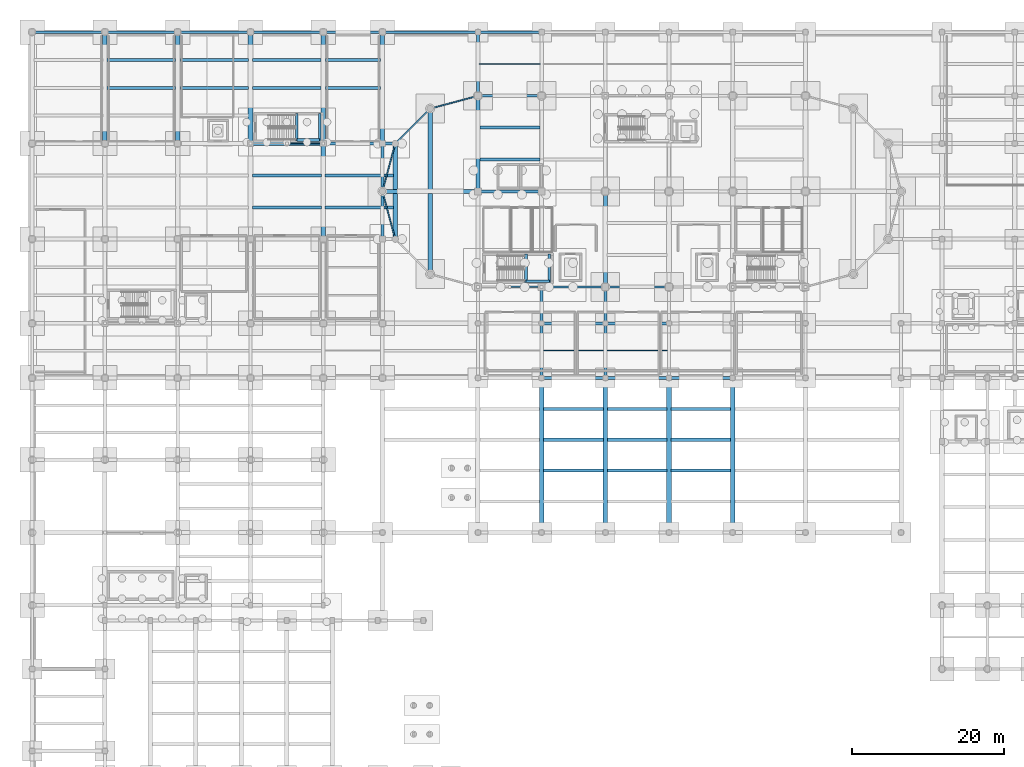
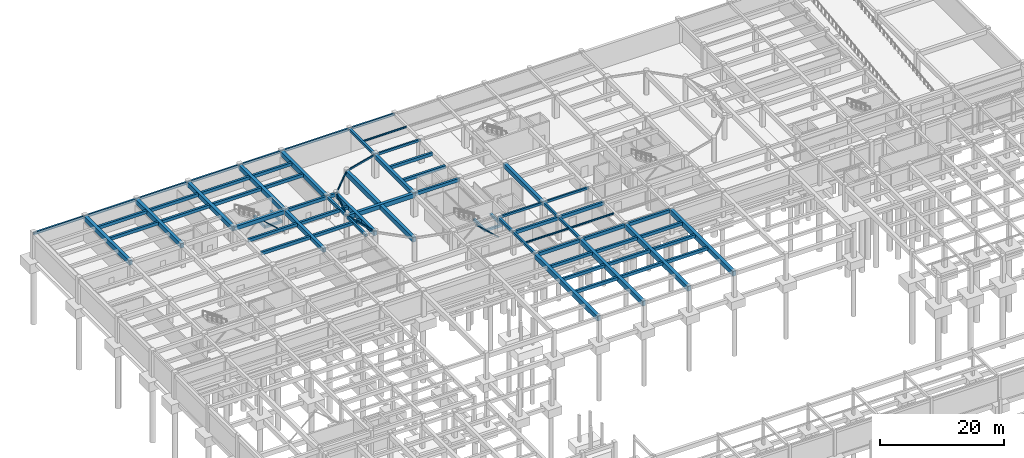
# One storey, part 16 of 37: 77 beams, 2 members.
"""IFC4 building model written with IfcOpenShell, lengths in metres."""

from ifc_helpers import new_model, si_unit, direction, frame, origin, origin_2d, place, context, subcontext, project, spatial, rectangle, hollow_rectangle, hollow_circle, i_section, extrude, material, material_profile, profile_set, type_object, element, save


model = new_model("IFC4")

# Units and contexts
model_context = context("Model", 3, precision=1e-05, world=origin(), true_north=direction((0.0, 1.0)))
body_context = subcontext(model_context, "Body", "Model", "MODEL_VIEW")
ifc_project = project(units=[si_unit("LENGTHUNIT", "METRE"), si_unit("AREAUNIT", "SQUARE_METRE"), si_unit("VOLUMEUNIT", "CUBIC_METRE"), si_unit("PLANEANGLEUNIT", "RADIAN"), si_unit("MASSUNIT", "GRAM", prefix="KILO")], contexts=[model_context])

# Site, building, storey
site_placement = place(None, origin())
site = spatial("IfcSite", under=ifc_project, at=site_placement, CompositionType="ELEMENT")
building_placement = place(site_placement, origin())
building = spatial("IfcBuilding", under=site, at=building_placement, Name="Tarnavel Promenade Courthouse", CompositionType="ELEMENT")
storey_placement = place(building_placement, frame((0.0, 0.0, -4.800048828125)))
storey = spatial("IfcBuildingStorey", under=building, at=storey_placement, Name="B01", CompositionType="ELEMENT", Elevation=-4.800048828125)

# Beams
ifc_material_1 = material(Name="Concrete C40/50", Category="concrete")
ifc_material_profile_1 = material_profile(ifc_material_1, rectangle(XDim=0.39990234375, YDim=0.60009765625, at=origin_2d()), Name="PT 400x600")
ifc_profile_set_1 = profile_set([ifc_material_profile_1], Name="Concrete C40/50")
beam_type_1 = type_object("IfcBeamType", Name="Concrete C40/50 BM-PT-400x600 (PT 400x600)", PredefinedType="JOIST", material=ifc_profile_set_1)
for number, where, z_axis, x_axis, name in (
    (1, (29.044921875, 89.699951171875, 4.215087890625), (1.0, 0.0, 0.0), (0.0, 1.0, 0.0), "B01 Secondary Floor Rib 0431"),
    (2, (29.044921875, 93.89990234375, 4.215087890625), (1.0, 0.0, 0.0), (0.0, 1.0, 0.0), "B01 Secondary Floor Rib 0432"),
):
    element("IfcBeam", number, at=place(storey_placement, frame(where, z_axis=z_axis, x_axis=x_axis)), inside=storey, type_object=beam_type_1, Name=name, PredefinedType="JOIST", context=body_context, shape_type="SweptSolid", body=[
        extrude(rectangle(XDim=0.39990234375, YDim=0.60009765625, at=origin_2d()), origin(), (0.0, 0.0, 1.0), 9.110107421875),
    ])
for number, where, z_axis, x_axis, name in (
    (3, (38.64501953125, 89.699951171875, 4.215087890625), (1.0, 0.0, 0.0), (0.0, 1.0, 0.0), "B01 Secondary Floor Rib 0433"),
    (4, (38.64501953125, 93.89990234375, 4.215087890625), (1.0, 0.0, 0.0), (0.0, 1.0, 0.0), "B01 Secondary Floor Rib 0434"),
):
    element("IfcBeam", number, at=place(storey_placement, frame(where, z_axis=z_axis, x_axis=x_axis)), inside=storey, type_object=beam_type_1, Name=name, PredefinedType="JOIST", context=body_context, shape_type="SweptSolid", body=[
        extrude(rectangle(XDim=0.39990234375, YDim=0.60009765625, at=origin_2d()), origin(), (0.0, 0.0, 1.0), 8.998046875),
    ])
for number, where, z_axis, x_axis, name in (
    (5, (9.8701171875, 105.449951171875, 4.215087890625), (1.0, 0.0, 0.0), (0.0, 1.0, 0.0), "B01 Secondary Floor Rib 0445"),
    (6, (9.8701171875, 109.125, 4.215087890625), (1.0, 0.0, 0.0), (0.0, 1.0, 0.0), "B01 Secondary Floor Rib 0446"),
):
    element("IfcBeam", number, at=place(storey_placement, frame(where, z_axis=z_axis, x_axis=x_axis)), inside=storey, type_object=beam_type_1, Name=name, PredefinedType="JOIST", context=body_context, shape_type="SweptSolid", body=[
        extrude(rectangle(XDim=0.39990234375, YDim=0.60009765625, at=origin_2d()), origin(), (0.0, 0.0, 1.0), 9.059814453125),
    ])
for number, where, z_axis, x_axis, name in (
    (7, (19.469970703125, 105.449951171875, 4.215087890625), (1.0, 0.0, 0.0), (0.0, 1.0, 0.0), "B01 Secondary Floor Rib 0448"),
    (8, (19.469970703125, 109.125, 4.215087890625), (1.0, 0.0, 0.0), (0.0, 1.0, 0.0), "B01 Secondary Floor Rib 0449"),
):
    element("IfcBeam", number, at=place(storey_placement, frame(where, z_axis=z_axis, x_axis=x_axis)), inside=storey, type_object=beam_type_1, Name=name, PredefinedType="JOIST", context=body_context, shape_type="SweptSolid", body=[
        extrude(rectangle(XDim=0.39990234375, YDim=0.60009765625, at=origin_2d()), origin(), (0.0, 0.0, 1.0), 9.06005859375),
    ])
for number, where, z_axis, x_axis, name in (
    (9, (29.070068359375, 105.449951171875, 4.215087890625), (1.0, 0.0, 0.0), (0.0, 1.0, 0.0), "B01 Secondary Floor Rib 0450"),
    (10, (29.070068359375, 109.125, 4.215087890625), (1.0, 0.0, 0.0), (0.0, 1.0, 0.0), "B01 Secondary Floor Rib 0451"),
):
    element("IfcBeam", number, at=place(storey_placement, frame(where, z_axis=z_axis, x_axis=x_axis)), inside=storey, type_object=beam_type_1, Name=name, PredefinedType="JOIST", context=body_context, shape_type="SweptSolid", body=[
        extrude(rectangle(XDim=0.39990234375, YDim=0.60009765625, at=origin_2d()), origin(), (0.0, 0.0, 1.0), 9.059814453125),
    ])
for number, where, z_axis, x_axis, name in (
    (11, (38.669921875, 105.449951171875, 4.215087890625), (1.0, 0.0, 0.0), (0.0, 1.0, 0.0), "B01 Secondary Floor Rib 0452"),
    (12, (38.669921875, 109.125, 4.215087890625), (1.0, 0.0, 0.0), (0.0, 1.0, 0.0), "B01 Secondary Floor Rib 0453"),
):
    element("IfcBeam", number, at=place(storey_placement, frame(where, z_axis=z_axis, x_axis=x_axis)), inside=storey, type_object=beam_type_1, Name=name, PredefinedType="JOIST", context=body_context, shape_type="SweptSolid", body=[
        extrude(rectangle(XDim=0.39990234375, YDim=0.60009765625, at=origin_2d()), origin(), (0.0, 0.0, 1.0), 7.260009765625),
    ])
for number, where, z_axis, x_axis, name in (
    (13, (67.469970703125, 54.9599609375, 4.215087890625), (1.0, 0.0, 0.0), (0.0, 1.0, 0.0), "B01 Secondary Floor Rib 0477"),
    (14, (67.469970703125, 59.0400390625, 4.215087890625), (1.0, 0.0, 0.0), (0.0, 1.0, 0.0), "B01 Secondary Floor Rib 0478"),
    (15, (67.469970703125, 63.1201171875, 4.215087890625), (1.0, 0.0, 0.0), (0.0, 1.0, 0.0), "B01 Secondary Floor Rib 0479"),
):
    element("IfcBeam", number, at=place(storey_placement, frame(where, z_axis=z_axis, x_axis=x_axis)), inside=storey, type_object=beam_type_1, Name=name, PredefinedType="JOIST", context=body_context, shape_type="SweptSolid", body=[
        extrude(rectangle(XDim=0.39990234375, YDim=0.60009765625, at=origin_2d()), origin(), (0.0, 0.0, 1.0), 7.860107421875),
    ])
for number, where, z_axis, x_axis, name in (
    (16, (75.8701171875, 54.9599609375, 4.215087890625), (1.0, 0.0, 0.0), (0.0, 1.0, 0.0), "B01 Secondary Floor Rib 0481"),
    (17, (75.8701171875, 59.0400390625, 4.215087890625), (1.0, 0.0, 0.0), (0.0, 1.0, 0.0), "B01 Secondary Floor Rib 0482"),
    (18, (75.8701171875, 63.1201171875, 4.215087890625), (1.0, 0.0, 0.0), (0.0, 1.0, 0.0), "B01 Secondary Floor Rib 0483"),
    (19, (84.27001953125, 54.9599609375, 4.215087890625), (1.0, 0.0, 0.0), (0.0, 1.0, 0.0), "B01 Secondary Floor Rib 0485"),
    (20, (84.27001953125, 59.0400390625, 4.215087890625), (1.0, 0.0, 0.0), (0.0, 1.0, 0.0), "B01 Secondary Floor Rib 0486"),
    (21, (84.27001953125, 63.1201171875, 4.215087890625), (1.0, 0.0, 0.0), (0.0, 1.0, 0.0), "B01 Secondary Floor Rib 0487"),
):
    element("IfcBeam", number, at=place(storey_placement, frame(where, z_axis=z_axis, x_axis=x_axis)), inside=storey, type_object=beam_type_1, Name=name, PredefinedType="JOIST", context=body_context, shape_type="SweptSolid", body=[
        extrude(rectangle(XDim=0.39990234375, YDim=0.60009765625, at=origin_2d()), origin(), (0.0, 0.0, 1.0), 7.85986328125),
    ])
for number, where, z_axis, x_axis, name in (
    (22, (59.044921875, 96.0, 4.215087890625), (1.0, 0.0, 0.0), (0.0, 1.0, 0.0), "B01 Secondary Floor Rib 0500"),
    (23, (59.044921875, 100.199951171875, 4.215087890625), (1.0, 0.0, 0.0), (0.0, 1.0, 0.0), "B01 Secondary Floor Rib 0501"),
):
    element("IfcBeam", number, at=place(storey_placement, frame(where, z_axis=z_axis, x_axis=x_axis)), inside=storey, type_object=beam_type_1, Name=name, PredefinedType="JOIST", context=body_context, shape_type="SweptSolid", body=[
        extrude(rectangle(XDim=0.39990234375, YDim=0.60009765625, at=origin_2d()), origin(), (0.0, 0.0, 1.0), 7.91015625),
    ])
ifc_material_profile_2 = material_profile(ifc_material_1, rectangle(XDim=0.550048828125, YDim=0.85009765625, at=origin_2d()), Name="PT 550x850")
ifc_profile_set_2 = profile_set([ifc_material_profile_2], Name="Concrete C40/50")
beam_type_2 = type_object("IfcBeamType", Name="Concrete C40/50 BM-PT-550x850 (PT 550x850)", PredefinedType="T_BEAM", material=ifc_profile_set_2)
for number, where, z_axis, x_axis, name in (
    (24, (46.199951171875, 91.800048828125, 4.090087890625), (1.0, 0.0, 0.0), (0.0, 1.0, 0.0), "B01 Primary Longitudinal Beam 0145"),
    (25, (38.39990234375, 85.5, 4.090087890625), (0.0, 1.0, 0.0), (-1.0, 0.0, 0.0), "B01 Transverse Girder 0235"),
    (26, (47.88818359375, 85.5, 4.090087890625), (0.0, 1.0, 0.0), (-1.0, 0.0, 0.0), "B01 Transverse Girder 0245"),
):
    element("IfcBeam", number, at=place(storey_placement, frame(where, z_axis=z_axis, x_axis=x_axis)), inside=storey, type_object=beam_type_2, Name=name, PredefinedType="T_BEAM", context=body_context, shape_type="SweptSolid", body=[
        extrude(rectangle(XDim=0.550048828125, YDim=0.85009765625, at=origin_2d()), origin(), (0.0, 0.0, 1.0), 12.60009765625),
    ])
beam_1_placement = place(storey_placement, frame((58.800048828125, 91.800048828125, 4.090087890625), z_axis=(0.0, 1.0, 0.0), x_axis=(-1.0, 0.0, 0.0)))
element("IfcBeam", 27, at=beam_1_placement, inside=storey, type_object=beam_type_2, Name="B01 Transverse Girder 0253", PredefinedType="T_BEAM", context=body_context, shape_type="SweptSolid", body=[
    extrude(rectangle(XDim=0.550048828125, YDim=0.85009765625, at=origin_2d()), origin(), (0.0, 0.0, 1.0), 12.599853515625),
])
beam_2_placement = place(storey_placement, frame((75.60009765625, 79.199951171875, 4.090087890625), z_axis=(0.0, 1.0, 0.0), x_axis=(-1.0, 0.0, 0.0)))
element("IfcBeam", 28, at=beam_2_placement, inside=storey, type_object=beam_type_2, Name="B01 Transverse Girder 0266", PredefinedType="T_BEAM", context=body_context, shape_type="SweptSolid", body=[
    extrude(rectangle(XDim=0.550048828125, YDim=0.85009765625, at=origin_2d()), origin(), (0.0, 0.0, 1.0), 12.60009765625),
])
ifc_material_profile_3 = material_profile(ifc_material_1, rectangle(XDim=0.60009765625, YDim=0.89990234375, at=origin_2d()), Name="PT 600x900")
ifc_profile_set_3 = profile_set([ifc_material_profile_3], Name="Concrete C40/50")
beam_type_3 = type_object("IfcBeamType", Name="Concrete C40/50 BM-PT-600x900 (PT 600x900)", PredefinedType="T_BEAM", material=ifc_profile_set_3)
for number, where, z_axis, x_axis, name in (
    (29, (9.60009765625, 98.10009765625, 4.06494140625), (0.0, 1.0, 0.0), (-1.0, 0.0, 0.0), "B01 Transverse Girder 0209"),
    (30, (19.199951171875, 98.10009765625, 4.06494140625), (0.0, 1.0, 0.0), (-1.0, 0.0, 0.0), "B01 Transverse Girder 0218"),
    (31, (28.800048828125, 98.10009765625, 4.06494140625), (0.0, 1.0, 0.0), (-1.0, 0.0, 0.0), "B01 Transverse Girder 0228"),
    (32, (38.39990234375, 98.10009765625, 4.06494140625), (0.0, 1.0, 0.0), (-1.0, 0.0, 0.0), "B01 Transverse Girder 0236"),
    (33, (46.199951171875, 98.10009765625, 4.06494140625), (0.0, 1.0, 0.0), (-1.0, 0.0, 0.0), "B01 Transverse Girder 0244"),
):
    element("IfcBeam", number, at=place(storey_placement, frame(where, z_axis=z_axis, x_axis=x_axis)), inside=storey, type_object=beam_type_3, Name=name, PredefinedType="T_BEAM", context=body_context, shape_type="SweptSolid", body=[
        extrude(rectangle(XDim=0.60009765625, YDim=0.89990234375, at=origin_2d()), origin(), (0.0, 0.0, 1.0), 14.699951171875),
    ])
ifc_material_profile_4 = material_profile(ifc_material_1, rectangle(XDim=0.60009765625, YDim=0.949951171875, at=origin_2d()), Name="PT 600x950")
ifc_profile_set_4 = profile_set([ifc_material_profile_4], Name="Concrete C40/50")
beam_type_4 = type_object("IfcBeamType", Name="Concrete C40/50 BM-PT-600x950 (PT 600x950)", PredefinedType="T_BEAM", material=ifc_profile_set_4)
beam_3_placement = place(storey_placement, frame((52.5, 80.88818359375, 4.0400390625), z_axis=(0.0, 1.0, 0.0), x_axis=(-1.0, 0.0, 0.0)))
element("IfcBeam", 34, at=beam_3_placement, inside=storey, type_object=beam_type_4, Name="B01 Transverse Girder 0246", PredefinedType="T_BEAM", context=body_context, shape_type="SweptSolid", body=[
    extrude(rectangle(XDim=0.60009765625, YDim=0.949951171875, at=origin_2d()), origin(), (0.0, 0.0, 1.0), 21.82373046875),
])
for number, where, z_axis, x_axis, name in (
    (35, (67.199951171875, 46.800048828125, 4.0400390625), (0.0, 1.0, 0.0), (-1.0, 0.0, 0.0), "B01 Transverse Girder 0256"),
    (36, (75.60009765625, 46.800048828125, 4.0400390625), (0.0, 1.0, 0.0), (-1.0, 0.0, 0.0), "B01 Transverse Girder 0263"),
    (37, (84.0, 46.800048828125, 4.0400390625), (0.0, 1.0, 0.0), (-1.0, 0.0, 0.0), "B01 Transverse Girder 0270"),
    (38, (92.39990234375, 46.800048828125, 4.0400390625), (0.0, 1.0, 0.0), (-1.0, 0.0, 0.0), "B01 Transverse Girder 0278"),
):
    element("IfcBeam", number, at=place(storey_placement, frame(where, z_axis=z_axis, x_axis=x_axis)), inside=storey, type_object=beam_type_4, Name=name, PredefinedType="T_BEAM", context=body_context, shape_type="SweptSolid", body=[
        extrude(rectangle(XDim=0.60009765625, YDim=0.949951171875, at=origin_2d()), origin(), (0.0, 0.0, 1.0), 20.39990234375),
    ])
ifc_material_profile_5 = material_profile(ifc_material_1, rectangle(XDim=0.35009765625, YDim=0.449951171875, at=origin_2d()), Name="RC 350x450")
ifc_profile_set_5 = profile_set([ifc_material_profile_5], Name="Concrete C40/50")
beam_type_5 = type_object("IfcBeamType", Name="Concrete C40/50 BM-RC-350x450 (RC 350x450)", PredefinedType="BEAM", material=ifc_profile_set_5)
for number, where, z_axis, x_axis, name in (
    (39, (65.139892578125, 79.800048828125, 1.969970703125), (0.0, 1.0, 0.0), (-1.0, 0.0, 0.0), "B01 ST-01 Mid-Landing Support Beam Near"),
    (40, (68.219970703125, 79.800048828125, 1.969970703125), (0.0, 1.0, 0.0), (-1.0, 0.0, 0.0), "B01 ST-01 Mid-Landing Support Beam Far"),
):
    element("IfcBeam", number, at=place(storey_placement, frame(where, z_axis=z_axis, x_axis=x_axis)), inside=storey, type_object=beam_type_5, Name=name, PredefinedType="BEAM", context=body_context, shape_type="SweptSolid", body=[
        extrude(rectangle(XDim=0.35009765625, YDim=0.449951171875, at=origin_2d()), origin(), (0.0, 0.0, 1.0), 3.719970703125),
    ])
beam_4_placement = place(storey_placement, frame((65.139892578125, 79.949951171875, 1.969970703125), z_axis=(1.0, 0.0, 0.0), x_axis=(0.0, 1.0, 0.0)))
element("IfcBeam", 41, at=beam_4_placement, inside=storey, type_object=beam_type_5, Name="B01 ST-01 Mid-Landing Edge Trimmer", PredefinedType="BEAM", context=body_context, shape_type="SweptSolid", body=[
    extrude(rectangle(XDim=0.35009765625, YDim=0.449951171875, at=origin_2d()), origin(), (0.0, 0.0, 1.0), 3.080078125),
])
for number, where, z_axis, x_axis, name in (
    (42, (34.919921875, 98.419921875, 1.969970703125), (0.0, 1.0, 0.0), (-1.0, 0.0, 0.0), "B01 ST-07 Mid-Landing Support Beam Near"),
    (43, (37.919921875, 98.419921875, 1.969970703125), (0.0, 1.0, 0.0), (-1.0, 0.0, 0.0), "B01 ST-07 Mid-Landing Support Beam Far"),
):
    element("IfcBeam", number, at=place(storey_placement, frame(where, z_axis=z_axis, x_axis=x_axis)), inside=storey, type_object=beam_type_5, Name=name, PredefinedType="BEAM", context=body_context, shape_type="SweptSolid", body=[
        extrude(rectangle(XDim=0.35009765625, YDim=0.449951171875, at=origin_2d()), origin(), (0.0, 0.0, 1.0), 3.64013671875),
    ])
beam_5_placement = place(storey_placement, frame((34.919921875, 98.570068359375, 1.969970703125), z_axis=(1.0, 0.0, 0.0), x_axis=(0.0, 1.0, 0.0)))
element("IfcBeam", 44, at=beam_5_placement, inside=storey, type_object=beam_type_5, Name="B01 ST-07 Mid-Landing Edge Trimmer", PredefinedType="BEAM", context=body_context, shape_type="SweptSolid", body=[
    extrude(rectangle(XDim=0.35009765625, YDim=0.449951171875, at=origin_2d()), origin(), (0.0, 0.0, 1.0), 3.0),
])
ifc_material_profile_6 = material_profile(ifc_material_1, rectangle(XDim=0.39990234375, YDim=0.5, at=origin_2d()), Name="RC 400x500")
ifc_profile_set_6 = profile_set([ifc_material_profile_6], Name="Concrete C40/50")
beam_type_6 = type_object("IfcBeamType", Name="Concrete C40/50 BM-RC-400x500 (RC 400x500)", PredefinedType="BEAM", material=ifc_profile_set_6)
for number, where, z_axis, x_axis, name in (
    (45, (46.199951171875, 85.5, 4.26513671875), (0.0, 1.0, 0.0), (-1.0, 0.0, 0.0), "B01 Transverse Girder 0242"),
    (46, (46.199951171875, 91.800048828125, 4.26513671875), (0.0, 1.0, 0.0), (-1.0, 0.0, 0.0), "B01 Transverse Girder 0243"),
):
    element("IfcBeam", number, at=place(storey_placement, frame(where, z_axis=z_axis, x_axis=x_axis)), inside=storey, type_object=beam_type_6, Name=name, PredefinedType="BEAM", context=body_context, shape_type="SweptSolid", body=[
        extrude(rectangle(XDim=0.39990234375, YDim=0.5, at=origin_2d()), origin(), (0.0, 0.0, 1.0), 6.300048828125),
    ])
beam_6_placement = place(storey_placement, frame((58.800048828125, 104.39990234375, 4.26513671875), z_axis=(0.0, 1.0, 0.0), x_axis=(-1.0, 0.0, 0.0)))
element("IfcBeam", 47, at=beam_6_placement, inside=storey, type_object=beam_type_6, Name="B01 Transverse Girder 0254", PredefinedType="BEAM", context=body_context, shape_type="SweptSolid", body=[
    extrude(rectangle(XDim=0.39990234375, YDim=0.5, at=origin_2d()), origin(), (0.0, 0.0, 1.0), 8.400146484375),
])
beam_7_placement = place(storey_placement, frame((67.199951171875, 67.199951171875, 4.26513671875), z_axis=(0.0, 1.0, 0.0), x_axis=(-1.0, 0.0, 0.0)))
element("IfcBeam", 48, at=beam_7_placement, inside=storey, type_object=beam_type_6, Name="B01 Transverse Girder 0257", PredefinedType="BEAM", context=body_context, shape_type="SweptSolid", body=[
    extrude(rectangle(XDim=0.39990234375, YDim=0.5, at=origin_2d()), origin(), (0.0, 0.0, 1.0), 7.199951171875),
])
beam_8_placement = place(storey_placement, frame((67.199951171875, 74.39990234375, 4.26513671875), z_axis=(0.0, 1.0, 0.0), x_axis=(-1.0, 0.0, 0.0)))
element("IfcBeam", 49, at=beam_8_placement, inside=storey, type_object=beam_type_6, Name="B01 Transverse Girder 0258", PredefinedType="BEAM", context=body_context, shape_type="SweptSolid", body=[
    extrude(rectangle(XDim=0.39990234375, YDim=0.5, at=origin_2d()), origin(), (0.0, 0.0, 1.0), 4.800048828125),
])
beam_9_placement = place(storey_placement, frame((75.60009765625, 67.199951171875, 4.26513671875), z_axis=(0.0, 1.0, 0.0), x_axis=(-1.0, 0.0, 0.0)))
element("IfcBeam", 50, at=beam_9_placement, inside=storey, type_object=beam_type_6, Name="B01 Transverse Girder 0264", PredefinedType="BEAM", context=body_context, shape_type="SweptSolid", body=[
    extrude(rectangle(XDim=0.39990234375, YDim=0.5, at=origin_2d()), origin(), (0.0, 0.0, 1.0), 7.199951171875),
])
beam_10_placement = place(storey_placement, frame((75.60009765625, 74.39990234375, 4.26513671875), z_axis=(0.0, 1.0, 0.0), x_axis=(-1.0, 0.0, 0.0)))
element("IfcBeam", 51, at=beam_10_placement, inside=storey, type_object=beam_type_6, Name="B01 Transverse Girder 0265", PredefinedType="BEAM", context=body_context, shape_type="SweptSolid", body=[
    extrude(rectangle(XDim=0.39990234375, YDim=0.5, at=origin_2d()), origin(), (0.0, 0.0, 1.0), 4.800048828125),
])
ifc_material_profile_7 = material_profile(ifc_material_1, rectangle(XDim=0.39990234375, YDim=0.64990234375, at=origin_2d()), Name="RC 400x650")
ifc_profile_set_7 = profile_set([ifc_material_profile_7], Name="Concrete C40/50")
beam_type_7 = type_object("IfcBeamType", Name="Concrete C40/50 BM-RC-400x650 (RC 400x650)", PredefinedType="BEAM", material=ifc_profile_set_7)
beam_11_placement = place(storey_placement, frame((67.199951171875, 67.199951171875, 4.18994140625), z_axis=(1.0, 0.0, 0.0), x_axis=(0.0, 1.0, 0.0)))
element("IfcBeam", 52, at=beam_11_placement, inside=storey, type_object=beam_type_7, Name="B01 Primary Longitudinal Beam 0096", PredefinedType="BEAM", context=body_context, shape_type="SweptSolid", body=[
    extrude(rectangle(XDim=0.39990234375, YDim=0.64990234375, at=origin_2d()), origin(), (0.0, 0.0, 1.0), 8.400146484375),
])
for number, where, z_axis, x_axis, name in (
    (53, (75.60009765625, 67.199951171875, 4.18994140625), (1.0, 0.0, 0.0), (0.0, 1.0, 0.0), "B01 Primary Longitudinal Beam 0097"),
    (54, (84.0, 67.199951171875, 4.18994140625), (1.0, 0.0, 0.0), (0.0, 1.0, 0.0), "B01 Primary Longitudinal Beam 0098"),
):
    element("IfcBeam", number, at=place(storey_placement, frame(where, z_axis=z_axis, x_axis=x_axis)), inside=storey, type_object=beam_type_7, Name=name, PredefinedType="BEAM", context=body_context, shape_type="SweptSolid", body=[
        extrude(rectangle(XDim=0.39990234375, YDim=0.64990234375, at=origin_2d()), origin(), (0.0, 0.0, 1.0), 8.39990234375),
    ])
beam_12_placement = place(storey_placement, frame((67.199951171875, 74.39990234375, 4.18994140625), z_axis=(1.0, 0.0, 0.0), x_axis=(0.0, 1.0, 0.0)))
element("IfcBeam", 55, at=beam_12_placement, inside=storey, type_object=beam_type_7, Name="B01 Primary Longitudinal Beam 0119", PredefinedType="BEAM", context=body_context, shape_type="SweptSolid", body=[
    extrude(rectangle(XDim=0.39990234375, YDim=0.64990234375, at=origin_2d()), origin(), (0.0, 0.0, 1.0), 8.400146484375),
])
for number, where, z_axis, x_axis, name in (
    (56, (75.60009765625, 74.39990234375, 4.18994140625), (1.0, 0.0, 0.0), (0.0, 1.0, 0.0), "B01 Primary Longitudinal Beam 0120"),
    (57, (58.800048828125, 91.800048828125, 4.18994140625), (1.0, 0.0, 0.0), (0.0, 1.0, 0.0), "B01 Primary Longitudinal Beam 0146"),
):
    element("IfcBeam", number, at=place(storey_placement, frame(where, z_axis=z_axis, x_axis=x_axis)), inside=storey, type_object=beam_type_7, Name=name, PredefinedType="BEAM", context=body_context, shape_type="SweptSolid", body=[
        extrude(rectangle(XDim=0.39990234375, YDim=0.64990234375, at=origin_2d()), origin(), (0.0, 0.0, 1.0), 8.39990234375),
    ])
beam_13_placement = place(storey_placement, frame((38.39990234375, 98.10009765625, 4.18994140625), z_axis=(1.0, 0.0, 0.0), x_axis=(0.0, 1.0, 0.0)))
element("IfcBeam", 58, at=beam_13_placement, inside=storey, type_object=beam_type_7, Name="B01 Primary Longitudinal Beam 0156", PredefinedType="BEAM", context=body_context, shape_type="SweptSolid", body=[
    extrude(rectangle(XDim=0.39990234375, YDim=0.64990234375, at=origin_2d()), origin(), (0.0, 0.0, 1.0), 7.800048828125),
])
beam_14_placement = place(storey_placement, frame((46.199951171875, 98.10009765625, 4.18994140625), z_axis=(1.0, 0.0, 0.0), x_axis=(0.0, 1.0, 0.0)))
element("IfcBeam", 59, at=beam_14_placement, inside=storey, type_object=beam_type_7, Name="B01 Primary Longitudinal Beam 0157", PredefinedType="BEAM", context=body_context, shape_type="SweptSolid", body=[
    extrude(rectangle(XDim=0.39990234375, YDim=0.64990234375, at=origin_2d()), origin(), (0.0, 0.0, 1.0), 1.688232421875),
])
ifc_material_profile_8 = material_profile(ifc_material_1, rectangle(XDim=0.5, YDim=0.75, at=origin_2d()), Name="RC 500x750")
ifc_profile_set_8 = profile_set([ifc_material_profile_8], Name="Concrete C40/50")
beam_type_8 = type_object("IfcBeamType", Name="Concrete C40/50 BM-RC-500x750 (RC 500x750)", PredefinedType="T_BEAM", material=ifc_profile_set_8)
beam_15_placement = place(storey_placement, frame((28.800048828125, 98.10009765625, 4.14013671875), z_axis=(1.0, 0.0, 0.0), x_axis=(0.0, 1.0, 0.0)))
element("IfcBeam", 60, at=beam_15_placement, inside=storey, type_object=beam_type_8, Name="B01 Primary Longitudinal Beam 0155", PredefinedType="T_BEAM", context=body_context, shape_type="SweptSolid", body=[
    extrude(rectangle(XDim=0.5, YDim=0.75, at=origin_2d()), origin(), (0.0, 0.0, 1.0), 9.599853515625),
])
ifc_material_profile_9 = material_profile(ifc_material_1, rectangle(XDim=0.300048828125, YDim=0.449951171875, at=origin_2d()), Name="RC 300x450")
ifc_profile_set_9 = profile_set([ifc_material_profile_9], Name="Concrete C40/50")
beam_type_9 = type_object("IfcBeamType", Name="Concrete C40/50 BM-SP-300x450 (RC 300x450)", PredefinedType="SPANDREL", material=ifc_profile_set_9)
beam_16_placement = place(storey_placement, frame((67.199951171875, 79.199951171875, 4.2900390625), z_axis=(1.0, 0.0, 0.0), x_axis=(0.0, 1.0, 0.0)))
element("IfcBeam", 61, at=beam_16_placement, inside=storey, type_object=beam_type_9, Name="B01 Primary Longitudinal Beam 0130", PredefinedType="SPANDREL", context=body_context, shape_type="SweptSolid", body=[
    extrude(rectangle(XDim=0.300048828125, YDim=0.449951171875, at=origin_2d()), origin(), (0.0, 0.0, 1.0), 8.400146484375),
])
for number, where, z_axis, x_axis, name in (
    (62, (75.60009765625, 79.199951171875, 4.2900390625), (1.0, 0.0, 0.0), (0.0, 1.0, 0.0), "B01 Primary Longitudinal Beam 0131"),
    (63, (58.800048828125, 104.39990234375, 4.2900390625), (1.0, 0.0, 0.0), (0.0, 1.0, 0.0), "B01 Primary Longitudinal Beam 0163"),
):
    element("IfcBeam", number, at=place(storey_placement, frame(where, z_axis=z_axis, x_axis=x_axis)), inside=storey, type_object=beam_type_9, Name=name, PredefinedType="SPANDREL", context=body_context, shape_type="SweptSolid", body=[
        extrude(rectangle(XDim=0.300048828125, YDim=0.449951171875, at=origin_2d()), origin(), (0.0, 0.0, 1.0), 8.39990234375),
    ])
beam_17_placement = place(storey_placement, frame((38.39990234375, 112.800048828125, 4.2900390625), z_axis=(1.0, 0.0, 0.0), x_axis=(0.0, 1.0, 0.0)))
element("IfcBeam", 64, at=beam_17_placement, inside=storey, type_object=beam_type_9, Name="B01 Primary Longitudinal Beam 0176", PredefinedType="SPANDREL", context=body_context, shape_type="SweptSolid", body=[
    extrude(rectangle(XDim=0.300048828125, YDim=0.449951171875, at=origin_2d()), origin(), (0.0, 0.0, 1.0), 7.800048828125),
])
beam_18_placement = place(storey_placement, frame((58.800048828125, 112.800048828125, 4.2900390625), z_axis=(1.0, 0.0, 0.0), x_axis=(0.0, 1.0, 0.0)))
element("IfcBeam", 65, at=beam_18_placement, inside=storey, type_object=beam_type_9, Name="B01 Primary Longitudinal Beam 0178", PredefinedType="SPANDREL", context=body_context, shape_type="SweptSolid", body=[
    extrude(rectangle(XDim=0.300048828125, YDim=0.449951171875, at=origin_2d()), origin(), (0.0, 0.0, 1.0), 8.39990234375),
])
ifc_material_profile_10 = material_profile(ifc_material_1, rectangle(XDim=0.300048828125, YDim=0.5, at=origin_2d()), Name="RC 300x500")
ifc_profile_set_10 = profile_set([ifc_material_profile_10], Name="Concrete C40/50")
beam_type_10 = type_object("IfcBeamType", Name="Concrete C40/50 BM-SP-300x500 (RC 300x500)", PredefinedType="SPANDREL", material=ifc_profile_set_10)
beam_19_placement = place(storey_placement, frame((0.0, 112.800048828125, 4.26513671875), z_axis=(1.0, 0.0, 0.0), x_axis=(0.0, 1.0, 0.0)))
element("IfcBeam", 66, at=beam_19_placement, inside=storey, type_object=beam_type_10, Name="B01 Primary Longitudinal Beam 0172", PredefinedType="SPANDREL", context=body_context, shape_type="SweptSolid", body=[
    extrude(rectangle(XDim=0.300048828125, YDim=0.5, at=origin_2d()), origin(), (0.0, 0.0, 1.0), 9.60009765625),
])
beam_20_placement = place(storey_placement, frame((9.60009765625, 112.800048828125, 4.26513671875), z_axis=(1.0, 0.0, 0.0), x_axis=(0.0, 1.0, 0.0)))
element("IfcBeam", 67, at=beam_20_placement, inside=storey, type_object=beam_type_10, Name="B01 Primary Longitudinal Beam 0173", PredefinedType="SPANDREL", context=body_context, shape_type="SweptSolid", body=[
    extrude(rectangle(XDim=0.300048828125, YDim=0.5, at=origin_2d()), origin(), (0.0, 0.0, 1.0), 9.599853515625),
])
beam_21_placement = place(storey_placement, frame((19.199951171875, 112.800048828125, 4.26513671875), z_axis=(1.0, 0.0, 0.0), x_axis=(0.0, 1.0, 0.0)))
element("IfcBeam", 68, at=beam_21_placement, inside=storey, type_object=beam_type_10, Name="B01 Primary Longitudinal Beam 0174", PredefinedType="SPANDREL", context=body_context, shape_type="SweptSolid", body=[
    extrude(rectangle(XDim=0.300048828125, YDim=0.5, at=origin_2d()), origin(), (0.0, 0.0, 1.0), 9.60009765625),
])
beam_22_placement = place(storey_placement, frame((28.800048828125, 112.800048828125, 4.26513671875), z_axis=(1.0, 0.0, 0.0), x_axis=(0.0, 1.0, 0.0)))
element("IfcBeam", 69, at=beam_22_placement, inside=storey, type_object=beam_type_10, Name="B01 Primary Longitudinal Beam 0175", PredefinedType="SPANDREL", context=body_context, shape_type="SweptSolid", body=[
    extrude(rectangle(XDim=0.300048828125, YDim=0.5, at=origin_2d()), origin(), (0.0, 0.0, 1.0), 9.599853515625),
])
beam_23_placement = place(storey_placement, frame((46.199951171875, 112.800048828125, 4.26513671875), z_axis=(1.0, 0.0, 0.0), x_axis=(0.0, 1.0, 0.0)))
element("IfcBeam", 70, at=beam_23_placement, inside=storey, type_object=beam_type_10, Name="B01 Primary Longitudinal Beam 0177", PredefinedType="SPANDREL", context=body_context, shape_type="SweptSolid", body=[
    extrude(rectangle(XDim=0.300048828125, YDim=0.5, at=origin_2d()), origin(), (0.0, 0.0, 1.0), 12.60009765625),
])
ifc_material_2 = material(Name="Steel S355J2", Category="steel")
ifc_material_profile_11 = material_profile(ifc_material_2, i_section(OverallWidth=0.159912109375, OverallDepth=0.330078125, WebThickness=0.007568359375, FlangeThickness=0.011474609375, FilletRadius=0.01806640625, at=origin_2d()), Name="IPE 330")
ifc_profile_set_11 = profile_set([ifc_material_profile_11], Name="Steel S355J2")
beam_type_11 = type_object("IfcBeamType", Name="Steel S355J2 BM-ST-IPE330 (IPE 330)", PredefinedType="JOIST", material=ifc_profile_set_11)
beam_24_placement = place(storey_placement, frame((67.3701171875, 70.800048828125, 4.35009765625), z_axis=(1.0, 0.0, 0.0), x_axis=(0.0, 1.0, 0.0)))
element("IfcBeam", 71, at=beam_24_placement, inside=storey, type_object=beam_type_11, Name="B01 Secondary Floor Rib 0404", PredefinedType="JOIST", context=body_context, shape_type="SweptSolid", body=[
    extrude(i_section(OverallWidth=0.159912109375, OverallDepth=0.330078125, WebThickness=0.007568359375, FlangeThickness=0.011474609375, FilletRadius=0.01806640625, at=origin_2d()), origin(), (0.0, 0.0, 1.0), 8.059814453125),
])
for number, where, z_axis, x_axis, name in (
    (72, (75.77001953125, 70.800048828125, 4.35009765625), (1.0, 0.0, 0.0), (0.0, 1.0, 0.0), "B01 Secondary Floor Rib 0405"),
    (73, (58.969970703125, 108.60009765625, 4.35009765625), (1.0, 0.0, 0.0), (0.0, 1.0, 0.0), "B01 Secondary Floor Rib 0505"),
):
    element("IfcBeam", number, at=place(storey_placement, frame(where, z_axis=z_axis, x_axis=x_axis)), inside=storey, type_object=beam_type_11, Name=name, PredefinedType="JOIST", context=body_context, shape_type="SweptSolid", body=[
        extrude(i_section(OverallWidth=0.159912109375, OverallDepth=0.330078125, WebThickness=0.007568359375, FlangeThickness=0.011474609375, FilletRadius=0.01806640625, at=origin_2d()), origin(), (0.0, 0.0, 1.0), 8.06005859375),
    ])
ifc_material_profile_12 = material_profile(ifc_material_2, hollow_rectangle(XDim=0.199951171875, YDim=0.35009765625, WallThickness=0.012451171875, InnerFilletRadius=0.012451171875, OuterFilletRadius=0.02490234375, at=origin_2d()), Name="RHS 350x200x12.5")
ifc_profile_set_12 = profile_set([ifc_material_profile_12], Name="Steel S355J2")
beam_type_12 = type_object("IfcBeamType", Name="Steel S355J2 BM-ST-RHS350 (RHS 350x200x12.5)", PredefinedType="SPANDREL", material=ifc_profile_set_12)
beam_25_placement = place(storey_placement, frame((58.800048828125, 104.39990234375, 4.340087890625), z_axis=(-0.965929839907, -0.258804065612, 0.0), x_axis=(0.258804065612, -0.965929839907, 0.0)))
element("IfcBeam", 74, at=beam_25_placement, inside=storey, type_object=beam_type_12, Name="B01 Drum Ring Spandrel 0546", PredefinedType="SPANDREL", context=body_context, shape_type="SweptSolid", body=[
    extrude(hollow_rectangle(XDim=0.199951171875, YDim=0.35009765625, WallThickness=0.012451171875, InnerFilletRadius=0.012451171875, OuterFilletRadius=0.02490234375, at=origin_2d()), origin(), (0.0, 0.0, 1.0), 6.522216796875),
])
beam_26_placement = place(storey_placement, frame((52.5, 102.7119140625, 4.340087890625), z_axis=(-0.707106781187, -0.707106781187, 0.0), x_axis=(0.707106781187, -0.707106781187, 0.0)))
element("IfcBeam", 75, at=beam_26_placement, inside=storey, type_object=beam_type_12, Name="B01 Drum Ring Spandrel 0547", PredefinedType="SPANDREL", context=body_context, shape_type="SweptSolid", body=[
    extrude(hollow_rectangle(XDim=0.199951171875, YDim=0.35009765625, WallThickness=0.012451171875, InnerFilletRadius=0.012451171875, OuterFilletRadius=0.02490234375, at=origin_2d()), origin(), (0.0, 0.0, 1.0), 6.52197265625),
])
for number, where, z_axis, x_axis, name in (
    (76, (47.88818359375, 98.10009765625, 4.340087890625), (-0.258838989821, -0.965920481897, 0.0), (0.965920481897, -0.258838989821, 0.0), "B01 Drum Ring Spandrel 0548"),
    (77, (46.199951171875, 91.800048828125, 4.340087890625), (0.258838989821, -0.965920481897, 0.0), (0.965920481897, 0.258838989821, 0.0), "B01 Drum Ring Spandrel 0549"),
):
    element("IfcBeam", number, at=place(storey_placement, frame(where, z_axis=z_axis, x_axis=x_axis)), inside=storey, type_object=beam_type_12, Name=name, PredefinedType="SPANDREL", context=body_context, shape_type="SweptSolid", body=[
        extrude(hollow_rectangle(XDim=0.199951171875, YDim=0.35009765625, WallThickness=0.012451171875, InnerFilletRadius=0.012451171875, OuterFilletRadius=0.02490234375, at=origin_2d()), origin(), (0.0, 0.0, 1.0), 6.522216796875),
    ])

# Members
ifc_material_profile_13 = material_profile(ifc_material_2, hollow_circle(Radius=0.084228515625, WallThickness=0.008056640625, at=origin_2d()), Name="CHS 168.3x8")
ifc_profile_set_13 = profile_set([ifc_material_profile_13], Name="Steel S355J2")
member_type_1 = type_object("IfcMemberType", Name="Steel S355J2 MEM-BR-CHS168 (CHS 168.3x8)", PredefinedType="BRACE", material=ifc_profile_set_13)
member_1_placement = place(storey_placement, frame((38.39990234375, 98.10009765625, 0.0), z_axis=(-0.74751419788, 0.0, 0.664245830975), x_axis=(0.0, -1.0, 0.0)))
element("IfcMember", 78, at=member_1_placement, inside=storey, type_object=member_type_1, Name="B01 V2 Chevron Brace B 035", PredefinedType="BRACE", context=body_context, shape_type="SweptSolid", body=[
    extrude(hollow_circle(Radius=0.084228515625, WallThickness=0.008056640625, at=origin_2d()), origin(), (0.0, 0.0, 1.0), 6.421142578125),
])
ifc_material_profile_14 = material_profile(ifc_material_2, hollow_rectangle(XDim=0.199951171875, YDim=0.199951171875, WallThickness=0.012451171875, InnerFilletRadius=0.012451171875, OuterFilletRadius=0.02490234375, at=origin_2d()), Name="SHS 200x200x12.5")
ifc_profile_set_14 = profile_set([ifc_material_profile_14], Name="Steel S355J2")
member_type_2 = type_object("IfcMemberType", Name="Steel S355J2 MEM-BR-SHS200 (SHS 200x200x12.5)", PredefinedType="BRACE", material=ifc_profile_set_14)
member_2_placement = place(storey_placement, frame((67.199951171875, 79.199951171875, 0.4150390625), z_axis=(-0.737141689437, 0.0, 0.675738210918), x_axis=(0.0, -1.0, 0.0)))
element("IfcMember", 79, at=member_2_placement, inside=storey, type_object=member_type_2, Name="B01 V5 Chevron Brace B 001", PredefinedType="BRACE", context=body_context, shape_type="SweptSolid", body=[
    extrude(hollow_rectangle(XDim=0.199951171875, YDim=0.199951171875, WallThickness=0.012451171875, InnerFilletRadius=0.012451171875, OuterFilletRadius=0.02490234375, at=origin_2d()), origin(), (0.0, 0.0, 1.0), 5.697509765625),
])

save(model, "model.ifc")
